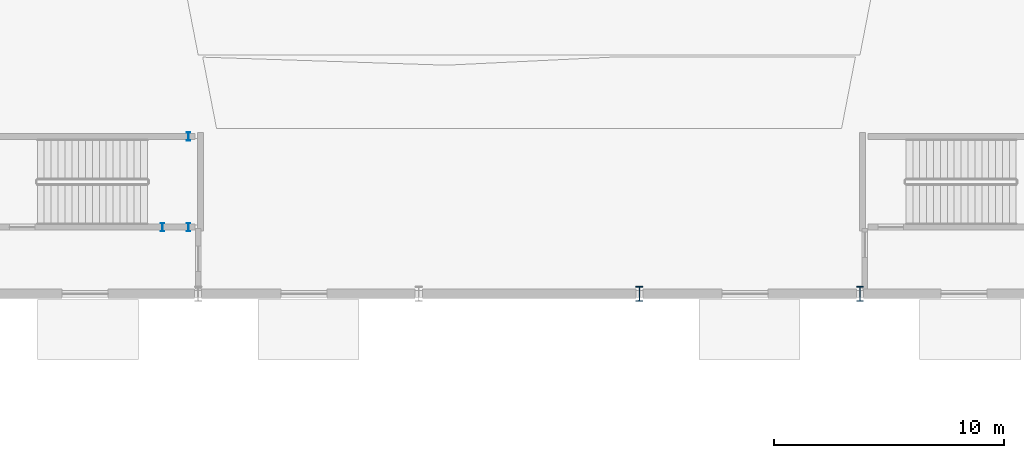
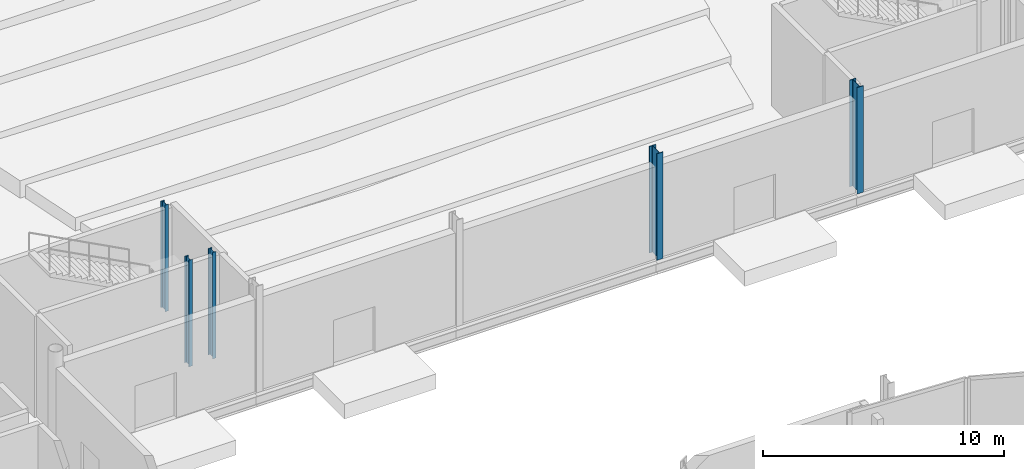
# One storey, part 24 of 84: 5 columns.
"""IFC4 building model written with IfcOpenShell, lengths in metres."""

from ifc_helpers import new_model, si_unit, direction, frame, origin, origin_2d, place, context, subcontext, project, spatial, i_section, extrude, material, material_profile, profile_set, type_object, element, save


model = new_model("IFC4")

# Units and contexts
model_context = context("Model", 3, precision=1e-05, world=origin(), true_north=direction((0.0, 1.0)))
body_context = subcontext(model_context, "Body", "Model", "MODEL_VIEW")
ifc_project = project(units=[si_unit("LENGTHUNIT", "METRE"), si_unit("AREAUNIT", "SQUARE_METRE"), si_unit("VOLUMEUNIT", "CUBIC_METRE"), si_unit("PLANEANGLEUNIT", "RADIAN"), si_unit("MASSUNIT", "GRAM", prefix="KILO")], contexts=[model_context])

# Site, building, storey
site_placement = place(None, origin())
site = spatial("IfcSite", under=ifc_project, at=site_placement, CompositionType="ELEMENT")
building_placement = place(site_placement, origin())
building = spatial("IfcBuilding", under=site, at=building_placement, Name="Zevrakil Square Congress Hotel", CompositionType="ELEMENT")
storey_placement = place(building_placement, origin())
storey = spatial("IfcBuildingStorey", under=building, at=storey_placement, Name="L01", CompositionType="ELEMENT", Elevation=0.0)

# Columns
ifc_material_1 = material(Name="Steel S355", Category="steel")
ifc_material_profile_1 = material_profile(ifc_material_1, i_section(OverallWidth=0.300048828125, OverallDepth=0.64990234375, WebThickness=0.01611328125, FlangeThickness=0.031005859375, FilletRadius=0.027099609375, at=origin_2d()), Name="HEB 650")
ifc_profile_set_1 = profile_set([ifc_material_profile_1], Name="Steel S355")
column_type_1 = type_object("IfcColumnType", Name="COL-HEB650", PredefinedType="COLUMN", material=ifc_profile_set_1)
for number, where, z_axis, x_axis, name in (
    (1, (146.39990234375, 64.800048828125, 0.0), (0.0, 0.0, 1.0), (1.0, 0.0, 0.0), "L01 column C-217"),
    (2, (156.0, 64.800048828125, 0.0), (0.0, 0.0, 1.0), (1.0, 0.0, 0.0), "L01 column C-226"),
):
    element("IfcColumn", number, at=place(storey_placement, frame(where, z_axis=z_axis, x_axis=x_axis)), inside=storey, type_object=column_type_1, Name=name, PredefinedType="COLUMN", context=body_context, shape_type="SweptSolid", body=[
        extrude(i_section(OverallWidth=0.300048828125, OverallDepth=0.64990234375, WebThickness=0.01611328125, FlangeThickness=0.031005859375, FilletRadius=0.027099609375, at=origin_2d()), origin(), (0.0, 0.0, 1.0), 5.39990234375),
    ])
ifc_material_2 = material(Name="Steel S355", Category="steel")
ifc_material_profile_2 = material_profile(ifc_material_2, i_section(OverallWidth=0.169921875, OverallDepth=0.360107421875, WebThickness=0.008056640625, FlangeThickness=0.0126953125, FilletRadius=0.01806640625, at=origin_2d()), Name="IPE 360")
ifc_profile_set_2 = profile_set([ifc_material_profile_2], Name="Steel S355")
column_type_2 = type_object("IfcColumnType", Name="COL-PILASTER-SHS180", PredefinedType="PILASTER", material=ifc_profile_set_2)
for number, where, z_axis, x_axis, name in (
    (3, (125.64990234375, 67.699951171875, 0.0), (0.0, 0.0, 1.0), (1.0, 0.0, 0.0), "L01 ST08 stair shaft post 1"),
    (4, (126.780029296875, 67.699951171875, 0.0), (0.0, 0.0, 1.0), (1.0, 0.0, 0.0), "L01 ST08 stair shaft post 2"),
    (5, (126.780029296875, 71.64990234375, 0.0), (0.0, 0.0, 1.0), (1.0, 0.0, 0.0), "L01 ST08 stair shaft post 3"),
):
    element("IfcColumn", number, at=place(storey_placement, frame(where, z_axis=z_axis, x_axis=x_axis)), inside=storey, type_object=column_type_2, Name=name, PredefinedType="PILASTER", context=body_context, shape_type="SweptSolid", body=[
        extrude(i_section(OverallWidth=0.169921875, OverallDepth=0.360107421875, WebThickness=0.008056640625, FlangeThickness=0.0126953125, FilletRadius=0.01806640625, at=origin_2d()), origin(), (0.0, 0.0, 1.0), 5.39990234375),
    ])

save(model, "model.ifc")
